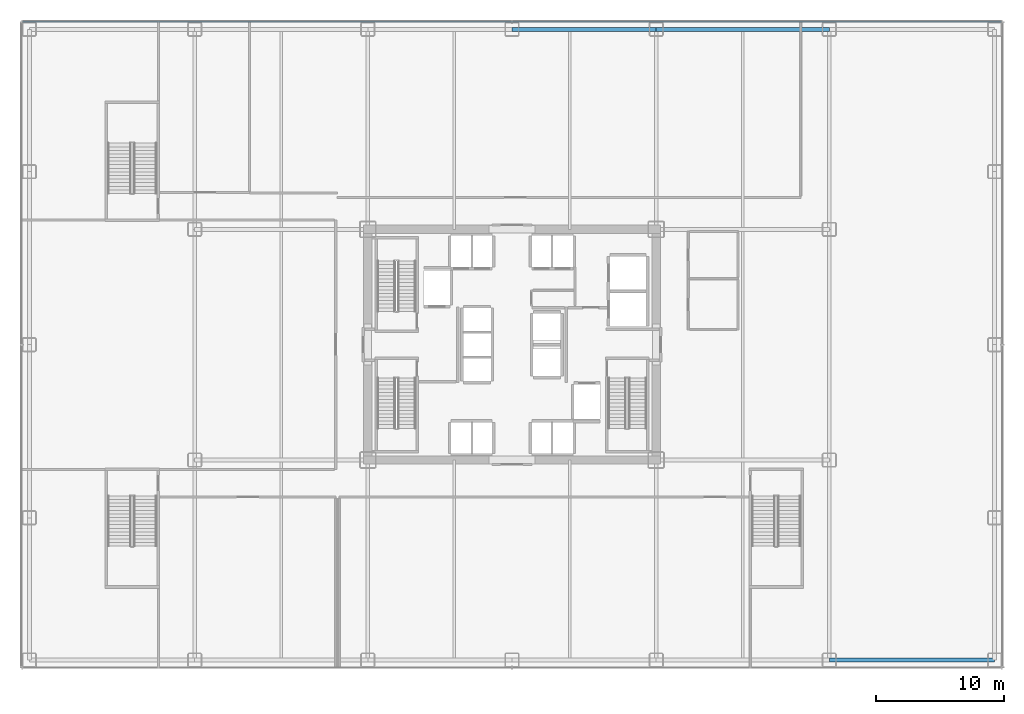
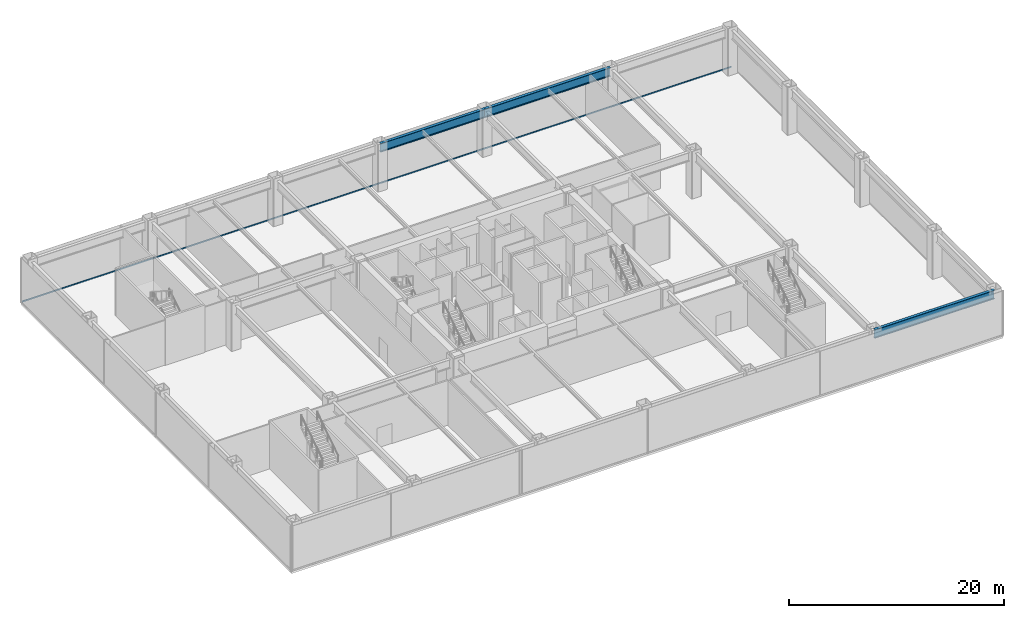
# One storey, part 11 of 24: 3 beams, 1 member, 1 element without a shape of its own.
"""IFC4 building model written with IfcOpenShell, lengths in metres."""

from ifc_helpers import new_model, si_unit, direction, frame, origin, origin_2d, place, context, subcontext, project, spatial, hollow_rectangle, i_section, extrude, source, transform, mapped, material, layer, layer_set, material_profile, profile_set, type_object, element, aggregate, save


model = new_model("IFC4")

# Units and contexts
model_context = context("Model", 3, precision=1e-05, world=origin(), true_north=direction((0.0, 1.0)))
body_context = subcontext(model_context, "Body", "Model", "MODEL_VIEW")
ifc_project = project(units=[si_unit("LENGTHUNIT", "METRE"), si_unit("AREAUNIT", "SQUARE_METRE"), si_unit("VOLUMEUNIT", "CUBIC_METRE"), si_unit("PLANEANGLEUNIT", "RADIAN"), si_unit("MASSUNIT", "GRAM", prefix="KILO")], contexts=[model_context])

# Site, building, storey
site_placement = place(None, origin())
site = spatial("IfcSite", under=ifc_project, at=site_placement, CompositionType="ELEMENT")
building_placement = place(site_placement, origin())
building = spatial("IfcBuilding", under=site, at=building_placement, Name="Nefas-Gora Pilgrimage Tower", CompositionType="ELEMENT")
storey_placement = place(building_placement, frame((0.0, 0.0, 6.0)))
storey = spatial("IfcBuildingStorey", under=building, at=storey_placement, Name="L01", CompositionType="ELEMENT", Elevation=6.0)

# Beams
ifc_material_1 = material(Name="Steel S460", Category="steel")
ifc_material_profile_1 = material_profile(ifc_material_1, i_section(OverallWidth=0.300048828125, OverallDepth=1.0, WebThickness=0.01904296875, FlangeThickness=0.035888671875, FilletRadius=0.030029296875, at=origin_2d()), Name="HEB 1000")
ifc_profile_set_1 = profile_set([ifc_material_profile_1], Name="Steel S460")
beam_type = type_object("IfcBeamType", Name="BM-POD-HEB1000E", PredefinedType="BEAM", material=ifc_profile_set_1)
shared_shape_1 = source(origin(), body_context, "Body", "SweptSolid", [
    extrude(i_section(OverallWidth=0.300048828125, OverallDepth=1.0, WebThickness=0.01904296875, FlangeThickness=0.035888671875, FilletRadius=0.030029296875, at=origin_2d()), origin(), (0.0, 0.0, 1.0), 12.89990234375),
])
beam_1_placement = place(storey_placement, frame((24.75, -24.60009765625, 4.60009765625), z_axis=(1.0, 0.0, 0.0), x_axis=(0.0, 1.0, 0.0)))
element("IfcBeam", 1, at=beam_1_placement, inside=storey, type_object=beam_type, Name="L01 PG-01E beam", PredefinedType="BEAM", context=body_context, shape_type="MappedRepresentation", body=[
    mapped(shared_shape_1, transform((0.0, 0.0, 0.0), x_axis=(1.0, 0.0, 0.0), y_axis=(0.0, 1.0, 0.0), z_axis=(0.0, 0.0, 1.0), scale=1.0)),
])
shared_shape_2 = source(origin(), body_context, "Body", "SweptSolid", [
    extrude(i_section(OverallWidth=0.300048828125, OverallDepth=1.0, WebThickness=0.01904296875, FlangeThickness=0.035888671875, FilletRadius=0.030029296875, at=origin_2d()), origin(), (0.0, 0.0, 1.0), 13.5),
])
beam_2_placement = place(storey_placement, frame((11.25, 24.60009765625, 4.60009765625), z_axis=(1.0, 0.0, 0.0), x_axis=(0.0, 1.0, 0.0)))
element("IfcBeam", 2, at=beam_2_placement, inside=storey, type_object=beam_type, Name="L01 PG-01E beam", PredefinedType="BEAM", context=body_context, shape_type="MappedRepresentation", body=[
    mapped(shared_shape_2, transform((0.0, 0.0, 0.0), x_axis=(1.0, 0.0, 0.0), y_axis=(0.0, 1.0, 0.0), z_axis=(0.0, 0.0, 1.0), scale=1.0)),
])
shared_shape_3 = source(origin(), body_context, "Body", "SweptSolid", [
    extrude(i_section(OverallWidth=0.300048828125, OverallDepth=1.0, WebThickness=0.01904296875, FlangeThickness=0.035888671875, FilletRadius=0.030029296875, at=origin_2d()), origin(), (0.0, 0.0, 1.0), 11.25),
])
beam_3_placement = place(storey_placement, frame((0.0, 24.60009765625, 4.60009765625), z_axis=(1.0, 0.0, 0.0), x_axis=(0.0, 1.0, 0.0)))
element("IfcBeam", 3, at=beam_3_placement, inside=storey, type_object=beam_type, Name="L01 PG-01E beam", PredefinedType="BEAM", context=body_context, shape_type="MappedRepresentation", body=[
    mapped(shared_shape_3, transform((0.0, 0.0, 0.0), x_axis=(1.0, 0.0, 0.0), y_axis=(0.0, 1.0, 0.0), z_axis=(0.0, 0.0, 1.0), scale=1.0)),
])

# Curtain wall, member
ifc_material_2 = material(Name="Dark ceramic-fritted solar-control aluminium-glass curtain wall", Category="aluminium")
ifc_layer = layer(ifc_material_2, 0.219970703125)
ifc_layer_set = layer_set([ifc_layer], Name="Dark ceramic-fritted solar-control aluminium-glass curtain wall")
curtain_wall_type = type_object("IfcCurtainWallType", Name="CW-SYS-1", PredefinedType="NOTDEFINED", material=ifc_layer_set)
curtain_wall_placement = place(storey_placement, origin())
curtain_wall = element("IfcCurtainWall", 4, at=curtain_wall_placement, inside=storey, type_object=curtain_wall_type, Name="L01 Unitised Curtain Wall CW1", PredefinedType="NOTDEFINED")
ifc_material_3 = material(Name="Anodised architectural aluminium", Category="aluminium")
ifc_material_profile_2 = material_profile(ifc_material_3, hollow_rectangle(XDim=0.080078125, YDim=0.159912109375, WallThickness=0.00439453125, InnerFilletRadius=0.00439453125, OuterFilletRadius=0.009033203125, at=origin_2d()), Name="ALU TRANSOM 80x160")
ifc_profile_set_2 = profile_set([ifc_material_profile_2], Name="Anodised architectural aluminium")
member_type = type_object("IfcMemberType", Name="CWM-TRN-1", PredefinedType="USERDEFINED", material=ifc_profile_set_2)
shared_shape_4 = source(origin(), body_context, "Body", "SweptSolid", [
    extrude(hollow_rectangle(XDim=0.080078125, YDim=0.159912109375, WallThickness=0.00439453125, InnerFilletRadius=0.00439453125, OuterFilletRadius=0.009033203125, at=origin_2d()), origin(), (0.0, 0.0, 1.0), 76.31982421875),
])
member_placement = place(storey_placement, frame((38.159912109375, 25.199951171875, 0.050048828125), z_axis=(-1.0, 0.0, 0.0), x_axis=(0.0, -1.0, 0.0)))
member = element("IfcMember", 5, at=member_placement, type_object=member_type, Name="CW1 Spandrel Transom", ObjectType="TRANSOM", PredefinedType="USERDEFINED", context=body_context, shape_type="MappedRepresentation", body=[
    mapped(shared_shape_4, transform((0.0, 0.0, 0.0), x_axis=(1.0, 0.0, 0.0), y_axis=(0.0, 1.0, 0.0), z_axis=(0.0, 0.0, 1.0), scale=1.0)),
])
aggregate(curtain_wall, [member])

save(model, "model.ifc")
